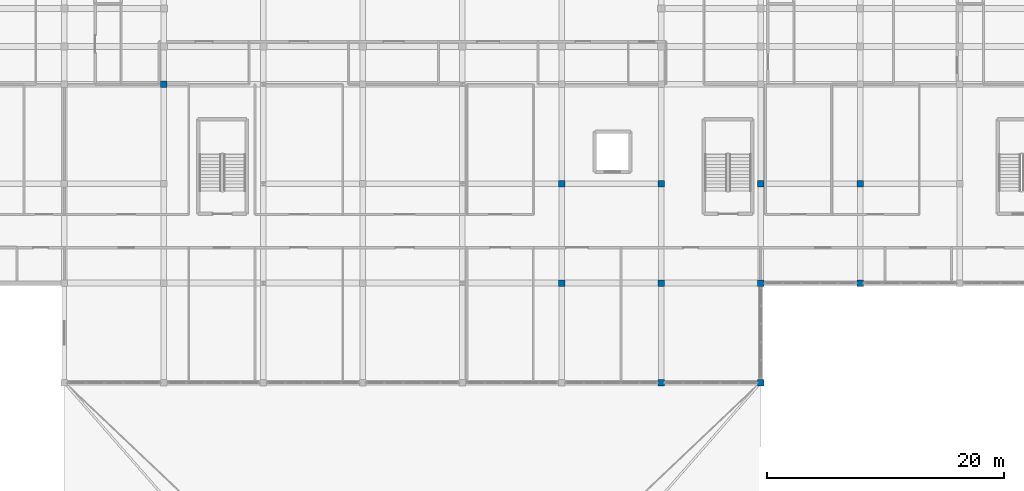
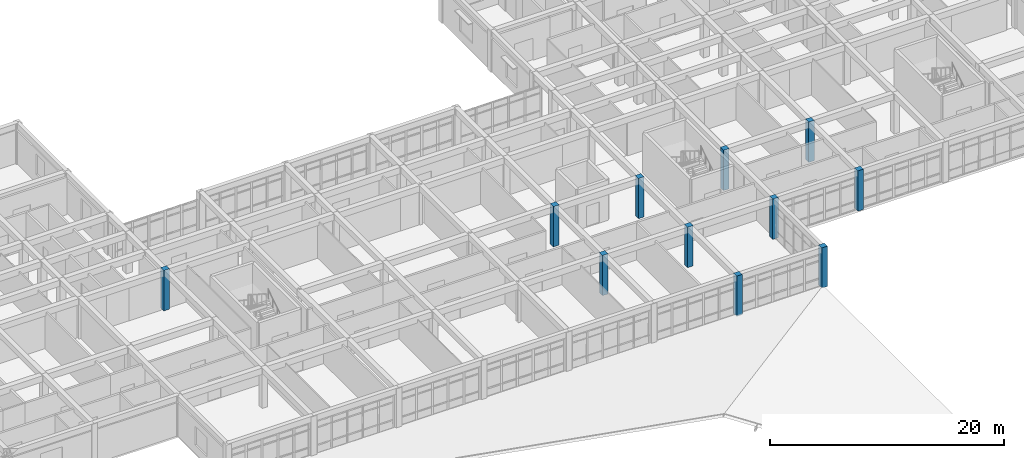
# One storey, part 3 of 77: 11 columns.
"""IFC4 building model written with IfcOpenShell, lengths in metres."""

import ifcopenshell
import ifcopenshell.guid

model = None  # the IFC model being written
_history = None  # IfcOwnerHistory: only IFC2X3 demands one
_inside = {}  # id of a spatial element -> (the spatial element, [elements in it])
_under = {}  # id of a project, library or spatial element -> (it, [spatial elements below it])
_declared = {}  # id of a project -> (the project, [libraries it declares])
_typed = {}  # id of a type object -> (the type object, [elements of that type])
_made_of = {}  # id of a material, layer set ... -> (it, [elements and type objects made of it])


def new_model(schema):
    """Start an empty IFC model of exactly this schema.

    Asked for "IFC4X3", IfcOpenShell would pick the latest addendum, in which some entities
    have other attributes; the version numbers below select the first issue.
    IFC2X3 requires an IfcOwnerHistory on every rooted entity: one is made here for all.
    """
    global model, _history
    if schema == "IFC4X3":
        model = ifcopenshell.file(schema_version=(4, 3, 0, 0))
    else:
        model = ifcopenshell.file(schema=schema)
    _inside.clear()
    _under.clear()
    _declared.clear()
    _typed.clear()
    _made_of.clear()
    _history = None
    if model.schema == "IFC2X3":
        org = make("IfcOrganization", Name="unknown")
        user = make(
            "IfcPersonAndOrganization",
            ThePerson=make("IfcPerson", FamilyName="unknown"),
            TheOrganization=org,
        )
        app = make(
            "IfcApplication",
            ApplicationDeveloper=org,
            Version="unknown",
            ApplicationFullName="unknown",
            ApplicationIdentifier="unknown",
        )
        _history = make(
            "IfcOwnerHistory",
            OwningUser=user,
            OwningApplication=app,
            ChangeAction="ADDED",
            CreationDate=0,
        )
    return model


def make(cls, **values):
    """One entity of the class cls with the attributes given. An attribute that is None is left unset."""
    return model.create_entity(
        cls, **{name: value for name, value in values.items() if value is not None}
    )


def rooted(cls, **values):
    """An entity with a GlobalId (a new one), such as an element, a storey or a relation."""
    return make(cls, GlobalId=ifcopenshell.guid.new(), OwnerHistory=_history, **values)


def si_unit(unit_type, name, prefix=None):
    """IfcSIUnit, for example si_unit("LENGTHUNIT", "METRE", prefix="MILLI")."""
    return make("IfcSIUnit", UnitType=unit_type, Prefix=prefix, Name=name)


def assignment(units):
    """IfcUnitAssignment: the units of a project."""
    return None if units is None else make("IfcUnitAssignment", Units=units)


def point(xyz):
    """IfcCartesianPoint."""
    return None if xyz is None else make("IfcCartesianPoint", Coordinates=xyz)


def direction(xyz):
    """IfcDirection."""
    return None if xyz is None else make("IfcDirection", DirectionRatios=xyz)


def frame(location, z_axis=None, x_axis=None):
    """IfcAxis2Placement3D, a coordinate frame: its origin and axes. An axis left out is left unset."""
    return make(
        "IfcAxis2Placement3D",
        Location=point(location),
        Axis=direction(z_axis),
        RefDirection=direction(x_axis),
    )


def frame_2d(location, x_axis=None):
    """IfcAxis2Placement2D, a coordinate frame in the plane: its origin and x axis."""
    return make(
        "IfcAxis2Placement2D", Location=point(location), RefDirection=direction(x_axis)
    )


def origin():
    """The frame at (0, 0, 0) with its axes left unset."""
    return frame((0.0, 0.0, 0.0))


def origin_2d():
    """The frame at (0, 0) in the plane with its x axis left unset."""
    return frame_2d((0.0, 0.0))


def place(relative_to, where):
    """IfcLocalPlacement: puts the frame where relative to a parent placement (None: the world)."""
    return make(
        "IfcLocalPlacement", PlacementRelTo=relative_to, RelativePlacement=where
    )


def context(
    kind, dimensions, precision=None, world=None, true_north=None, identifier=None
):
    """IfcGeometricRepresentationContext, for example the 3D "Model" context."""
    return make(
        "IfcGeometricRepresentationContext",
        ContextIdentifier=identifier,
        ContextType=kind,
        CoordinateSpaceDimension=dimensions,
        Precision=precision,
        WorldCoordinateSystem=world,
        TrueNorth=true_north,
    )


def subcontext(parent, identifier, kind, view, scale=None):
    """IfcGeometricRepresentationSubContext, for example "Body" below "Model"."""
    return make(
        "IfcGeometricRepresentationSubContext",
        ContextIdentifier=identifier,
        ContextType=kind,
        ParentContext=parent,
        TargetScale=scale,
        TargetView=view,
    )


def project(units=None, contexts=None):
    """IfcProject with its units and contexts."""
    return rooted(
        "IfcProject",
        Name="project",
        RepresentationContexts=contexts,
        UnitsInContext=assignment(units),
    )


def spatial(cls, under=None, at=None, **own):
    """A site, building, storey or space (cls), placed at a placement, below another one or the project."""
    s = rooted(cls, ObjectPlacement=at, **own)
    if under is not None:
        _under.setdefault(under.id(), (under, []))[1].append(s)
    return s


def profile(cls, at=None, kind="AREA", **sizes):
    """A parametric profile (cls). Its sizes go by their IFC names, for example OverallWidth=200.0."""
    return make(cls, ProfileType=kind, Position=at, **sizes)


def rectangle(**sizes):
    """IfcRectangleProfileDef."""
    return profile("IfcRectangleProfileDef", **sizes)


def extrude(swept, where, along, depth):
    """IfcExtrudedAreaSolid: the profile swept, set in the frame where, extruded along a direction by depth."""
    return make(
        "IfcExtrudedAreaSolid",
        SweptArea=swept,
        Position=where,
        ExtrudedDirection=direction(along),
        Depth=depth,
    )


def shape(context_of_items, identifier, shape_type, items):
    """IfcShapeRepresentation: the items that make up one representation, for example the "Body"."""
    return make(
        "IfcShapeRepresentation",
        ContextOfItems=context_of_items,
        RepresentationIdentifier=identifier,
        RepresentationType=shape_type,
        Items=items,
    )


def material(Name=None, Category=None):
    """IfcMaterial."""
    return make("IfcMaterial", Name=Name, Category=Category)


def material_profile(
    of_material, cross_section, Name=None, Category=None, Priority=None
):
    """IfcMaterialProfile: a cross section and its material."""
    return make(
        "IfcMaterialProfile",
        Name=Name,
        Material=of_material,
        Profile=cross_section,
        Priority=Priority,
        Category=Category,
    )


def profile_set(profiles, Name=None, composite=None):
    """IfcMaterialProfileSet."""
    return make(
        "IfcMaterialProfileSet",
        Name=Name,
        MaterialProfiles=profiles,
        CompositeProfile=composite,
    )


def made_of(thing, what):
    """Note that an element or type object is made of a material, layer set ...; save() writes the relation."""
    if what is not None:
        _made_of.setdefault(what.id(), (what, []))[1].append(thing)
    return thing


def type_object(cls, material=None, **own):
    """A type object (cls), such as IfcWallType, which elements share."""
    return made_of(rooted(cls, **own), material)


def element(
    cls,
    number,
    at=None,
    inside=None,
    cuts=None,
    type_object=None,
    material=None,
    context=None,
    identifier="Body",
    shape_type=None,
    held_by="IfcProductDefinitionShape",
    body=None,
    shapes=None,
    **own,
):
    """One element of the class cls, such as IfcWall. Its Tag is "e" and its number.

    at: its placement. inside: the storey or other place that contains it. cuts: it is an
    opening in that element (IfcRelVoidsElement). A single representation is given by context,
    identifier, shape_type and body (its items); several are given by shapes. held_by: the class
    of the entity that holds the representations. save() writes the other relations.
    """
    e = rooted(cls, Tag="e%d" % number, ObjectPlacement=at, **own)
    if body is not None:
        shapes = [shape(context, identifier, shape_type, body)]
    if shapes is not None:
        e.Representation = make(held_by, Representations=shapes)
    if inside is not None:
        _inside.setdefault(inside.id(), (inside, []))[1].append(e)
    if cuts is not None:
        rooted(
            "IfcRelVoidsElement", RelatingBuildingElement=cuts, RelatedOpeningElement=e
        )
    if type_object is not None:
        _typed.setdefault(type_object.id(), (type_object, []))[1].append(e)
    return made_of(e, material)


def aggregate(whole, parts):
    """IfcRelAggregates: a whole, such as a stair, and the parts it consists of."""
    return rooted("IfcRelAggregates", RelatingObject=whole, RelatedObjects=parts)


def save(model, path):
    """Write the relations noted so far, then the file.

    IfcRelAggregates (storeys below a building ...), IfcRelContainedInSpatialStructure (elements
    in a storey), IfcRelDefinesByType, IfcRelAssociatesMaterial and IfcRelDeclares: one each for
    every whole, place, type object, material and project.
    """
    for whole, parts in _under.values():
        aggregate(whole, parts)
    for where, things in _inside.values():
        rooted(
            "IfcRelContainedInSpatialStructure",
            RelatedElements=things,
            RelatingStructure=where,
        )
    for kind, things in _typed.values():
        rooted("IfcRelDefinesByType", RelatedObjects=things, RelatingType=kind)
    for what, things in _made_of.values():
        rooted("IfcRelAssociatesMaterial", RelatedObjects=things, RelatingMaterial=what)
    for by, libraries in _declared.values():
        rooted("IfcRelDeclares", RelatingContext=by, RelatedDefinitions=libraries)
    model.write(path)


model = new_model("IFC4")

# Units and contexts
model_context = context("Model", 3, precision=1e-05, world=origin(), true_north=direction((0.0, 1.0)))
body_context = subcontext(model_context, "Body", "Model", "MODEL_VIEW")
ifc_project = project(units=[si_unit("LENGTHUNIT", "METRE"), si_unit("AREAUNIT", "SQUARE_METRE"), si_unit("VOLUMEUNIT", "CUBIC_METRE"), si_unit("PLANEANGLEUNIT", "RADIAN"), si_unit("MASSUNIT", "GRAM", prefix="KILO")], contexts=[model_context])

# Site, building, storey
site_placement = place(None, origin())
site = spatial("IfcSite", under=ifc_project, at=site_placement, CompositionType="ELEMENT")
building_placement = place(site_placement, origin())
building = spatial("IfcBuilding", under=site, at=building_placement, Name="Varncliffe General Hospital", CompositionType="ELEMENT")
storey_placement = place(building_placement, frame((0.0, 0.0, 16.199951171875)))
storey = spatial("IfcBuildingStorey", under=building, at=storey_placement, Name="L03", CompositionType="ELEMENT", Elevation=16.199951171875)

# Columns
ifc_material = material(Name="Concrete C40/50 (CSA A23.1 40 MPa)", Category="concrete")
ifc_material_profile_1 = material_profile(ifc_material, rectangle(XDim=0.550048828125, YDim=0.550048828125, at=origin_2d()), Name="RC 550x550")
ifc_profile_set_1 = profile_set([ifc_material_profile_1], Name="Concrete C40/50 (CSA A23.1 40 MPa)")
column_type_1 = type_object("IfcColumnType", Name="Column C26 (Ext RC 550x550)", PredefinedType="COLUMN", material=ifc_profile_set_1)
for number, where, z_axis, x_axis, name in (
    (1, (109.199951171875, 74.39990234375, 0.0), (0.0, 0.0, 1.0), (1.0, 0.0, 0.0), "L03 Column C26"),
    (2, (117.60009765625, 74.39990234375, 0.0), (0.0, 0.0, 1.0), (1.0, 0.0, 0.0), "L03 Column C26"),
    (3, (117.60009765625, 82.800048828125, 0.0), (0.0, 0.0, 1.0), (1.0, 0.0, 0.0), "L03 Column C26"),
    (4, (126.0, 82.800048828125, 0.0), (0.0, 0.0, 1.0), (1.0, 0.0, 0.0), "L03 Column C26"),
):
    element("IfcColumn", number, at=place(storey_placement, frame(where, z_axis=z_axis, x_axis=x_axis)), inside=storey, type_object=column_type_1, Name=name, PredefinedType="COLUMN", context=body_context, shape_type="SweptSolid", body=[
        extrude(rectangle(XDim=0.550048828125, YDim=0.550048828125, at=origin_2d()), origin(), (0.0, 0.0, 1.0), 4.199951171875),
    ])
ifc_material_profile_2 = material_profile(ifc_material, rectangle(XDim=0.550048828125, YDim=0.550048828125, at=origin_2d()), Name="RC 550x550")
ifc_profile_set_2 = profile_set([ifc_material_profile_2], Name="Concrete C40/50 (CSA A23.1 40 MPa)")
column_type_2 = type_object("IfcColumnType", Name="Column C85 (Int RC 550x550)", PredefinedType="COLUMN", material=ifc_profile_set_2)
for number, where, z_axis, x_axis, name in (
    (5, (67.199951171875, 99.60009765625, 0.0), (0.0, 0.0, 1.0), (1.0, 0.0, 0.0), "L03 Column C85"),
    (6, (100.800048828125, 82.800048828125, 0.0), (0.0, 0.0, 1.0), (1.0, 0.0, 0.0), "L03 Column C85"),
    (7, (100.800048828125, 91.199951171875, 0.0), (0.0, 0.0, 1.0), (1.0, 0.0, 0.0), "L03 Column C85"),
    (8, (109.199951171875, 82.800048828125, 0.0), (0.0, 0.0, 1.0), (1.0, 0.0, 0.0), "L03 Column C85"),
    (9, (109.199951171875, 91.199951171875, 0.0), (0.0, 0.0, 1.0), (1.0, 0.0, 0.0), "L03 Column C85"),
    (10, (117.60009765625, 91.199951171875, 0.0), (0.0, 0.0, 1.0), (1.0, 0.0, 0.0), "L03 Column C85"),
    (11, (126.0, 91.199951171875, 0.0), (0.0, 0.0, 1.0), (1.0, 0.0, 0.0), "L03 Column C85"),
):
    element("IfcColumn", number, at=place(storey_placement, frame(where, z_axis=z_axis, x_axis=x_axis)), inside=storey, type_object=column_type_2, Name=name, PredefinedType="COLUMN", context=body_context, shape_type="SweptSolid", body=[
        extrude(rectangle(XDim=0.550048828125, YDim=0.550048828125, at=origin_2d()), origin(), (0.0, 0.0, 1.0), 4.199951171875),
    ])

save(model, "model.ifc")
